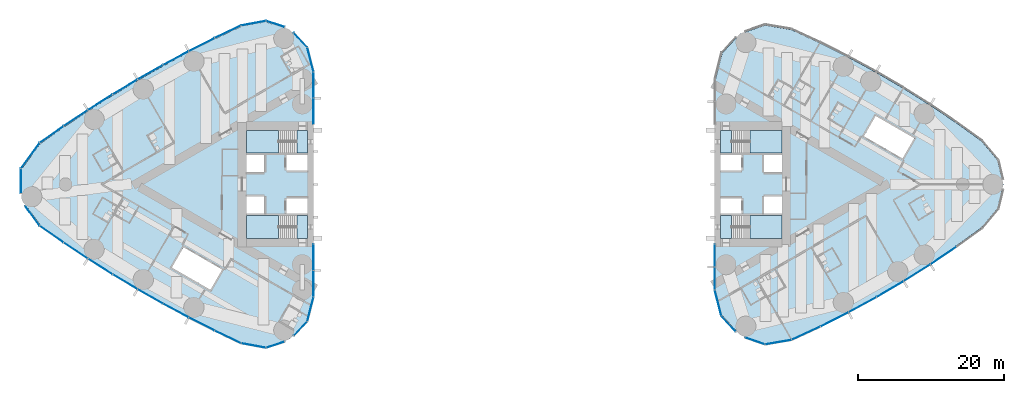
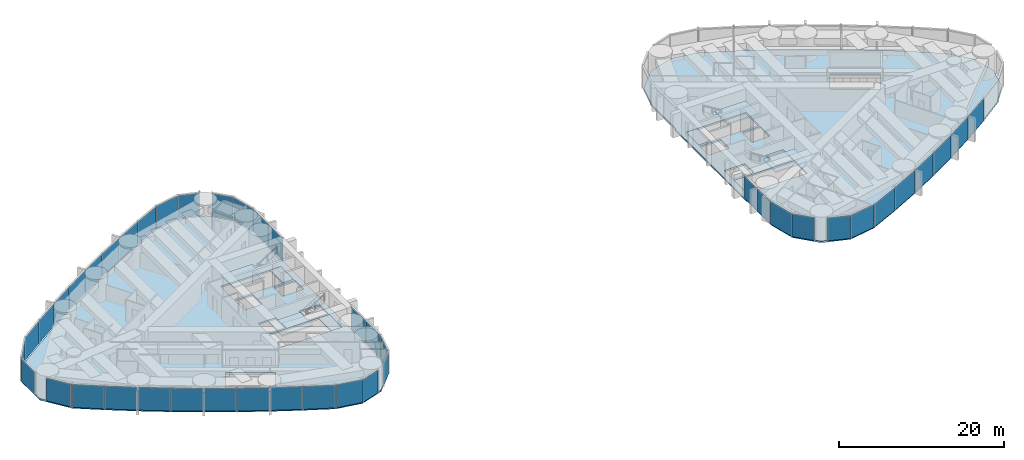
# One storey, part 10 of 18: 43 plates, 10 slabs, 10 elements without a shape of their own.
"""IFC4 building model written with IfcOpenShell, lengths in metres."""

from ifc_helpers import new_model, si_unit, direction, frame, origin, origin_2d, place, context, subcontext, project, spatial, polyline, rectangle, outline, extrude, material, layer, layer_set, type_object, element, aggregate, save


model = new_model("IFC4")

# Units and contexts
model_context = context("Model", 3, precision=1e-05, world=origin(), true_north=direction((0.0, 1.0)))
body_context = subcontext(model_context, "Body", "Model", "MODEL_VIEW")
ifc_project = project(units=[si_unit("LENGTHUNIT", "METRE"), si_unit("AREAUNIT", "SQUARE_METRE"), si_unit("VOLUMEUNIT", "CUBIC_METRE"), si_unit("PLANEANGLEUNIT", "RADIAN"), si_unit("MASSUNIT", "GRAM", prefix="KILO")], contexts=[model_context])

# Site, building, storey
site_placement = place(None, origin())
site = spatial("IfcSite", under=ifc_project, at=site_placement, CompositionType="ELEMENT")
building_placement = place(site_placement, origin())
building = spatial("IfcBuilding", under=site, at=building_placement, Name="Lancet Gate Hotel", CompositionType="ELEMENT")
storey_placement = place(building_placement, frame((0.0, 0.0, 180.800048828125)))
storey = spatial("IfcBuildingStorey", under=building, at=storey_placement, Name="L48", CompositionType="ELEMENT", Elevation=180.800048828125)

# Slabs
ifc_material_1 = material(Name="Concrete C50/60", Category="concrete")
ifc_layer_1 = layer(ifc_material_1, 0.25)
ifc_layer_set_1 = layer_set([ifc_layer_1], Name="Floor slab 250")
slab_type_1 = type_object("IfcSlabType", Name="Floor slab 250", PredefinedType="FLOOR", material=ifc_layer_set_1)
slab_1_placement = place(storey_placement, frame((0.0, 0.0, -0.25)))
element("IfcSlab", 1, at=slab_1_placement, inside=storey, type_object=slab_type_1, Name="T1 L48 floor slab", PredefinedType="FLOOR", context=body_context, shape_type="SweptSolid", body=[
    extrude(outline(polyline([(-27.5, 8.60009765625), (-27.6201171875, 8.60009765625), (-27.6201171875, 15.408203125), (-28.46923828125, 18.7265625), (-30.797607421875, 21.217529296875), (-34.0361328125, 22.283935546875), (-37.403564453125, 21.660400390625), (-40.996826171875, 19.9453125), (-44.561767578125, 18.139404296875), (-48.0830078125, 16.250244140625), (-51.558837890625, 14.27880859375), (-54.987548828125, 12.22607421875), (-58.366943359375, 10.09326171875), (-61.695068359375, 7.881591796875), (-64.955322265625, 5.602783203125), (-67.49560546875, 2.138427734375), (-67.49560546875, -2.138427734375), (-64.955322265625, -5.602783203125), (-61.695068359375, -7.881591796875), (-58.366943359375, -10.09326171875), (-54.987548828125, -12.22607421875), (-51.558837890625, -14.27880859375), (-48.0830078125, -16.250244140625), (-44.561767578125, -18.139404296875), (-40.996826171875, -19.9453125), (-37.403564453125, -21.660400390625), (-34.0361328125, -22.283935546875), (-30.797607421875, -21.217529296875), (-28.46923828125, -18.7265625), (-27.6201171875, -15.408203125), (-27.6201171875, -8.60009765625), (-27.5, -8.60009765625), (-27.5, -8.199951171875), (-27.5, 8.199951171875), (-27.5, 8.60009765625)]), holes=[polyline([(-36.699951171875, 7.39990234375), (-36.699951171875, 4.300048828125), (-28.300048828125, 4.300048828125), (-28.300048828125, 7.39990234375), (-36.699951171875, 7.39990234375)]), polyline([(-28.300048828125, 4.0), (-31.199951171875, 4.0), (-31.199951171875, 1.89990234375), (-28.300048828125, 1.89990234375), (-28.300048828125, 4.0)]), polyline([(-34.25, 4.0), (-36.699951171875, 4.0), (-36.699951171875, 1.64990234375), (-34.25, 1.64990234375), (-34.25, 4.0)]), polyline([(-36.699951171875, -1.64990234375), (-36.699951171875, -4.0), (-34.25, -4.0), (-34.25, -1.64990234375), (-36.699951171875, -1.64990234375)]), polyline([(-28.300048828125, -1.89990234375), (-31.199951171875, -1.89990234375), (-31.199951171875, -4.0), (-28.300048828125, -4.0), (-28.300048828125, -1.89990234375)]), polyline([(-28.300048828125, -4.300048828125), (-36.699951171875, -4.300048828125), (-36.699951171875, -7.39990234375), (-28.300048828125, -7.39990234375), (-28.300048828125, -4.300048828125)]), polyline([(-45.319091796875, -8.631103515625), (-46.9189453125, -11.402099609375), (-41.635986328125, -14.451904296875), (-40.035888671875, -11.680908203125), (-45.319091796875, -8.631103515625)])]), origin(), (0.0, 0.0, 1.0), 0.25),
])
slab_2_placement = place(storey_placement, frame((0.0, 0.0, -0.25)))
element("IfcSlab", 2, at=slab_2_placement, inside=storey, type_object=slab_type_1, Name="T2 L48 floor slab", PredefinedType="FLOOR", context=body_context, shape_type="SweptSolid", body=[
    extrude(outline(polyline([(27.5, -8.60009765625), (27.6201171875, -8.60009765625), (27.6201171875, -14.450439453125), (28.517822265625, -17.9853515625), (30.98291015625, -20.65185546875), (34.421875, -21.819091796875), (38.01513671875, -21.201171875), (41.9296875, -19.383056640625), (45.796875, -17.435302734375), (49.6005859375, -15.36572265625), (53.336669921875, -13.1767578125), (57.00146484375, -10.87060546875), (60.591552734375, -8.44921875), (64.092041015625, -5.9228515625), (66.283447265625, -3.307373046875), (67.06640625, 0.0), (66.283447265625, 3.307373046875), (64.092041015625, 5.9228515625), (60.591552734375, 8.44921875), (57.00146484375, 10.87060546875), (53.336669921875, 13.1767578125), (49.6005859375, 15.36572265625), (45.796875, 17.435302734375), (41.9296875, 19.383056640625), (38.01513671875, 21.201171875), (34.421875, 21.819091796875), (30.98291015625, 20.65185546875), (28.517822265625, 17.9853515625), (27.6201171875, 14.450439453125), (27.6201171875, 8.60009765625), (27.5, 8.60009765625), (27.5, 8.199951171875), (27.5, -8.199951171875), (27.5, -8.60009765625)]), holes=[polyline([(36.699951171875, -7.39990234375), (36.699951171875, -4.300048828125), (28.300048828125, -4.300048828125), (28.300048828125, -7.39990234375), (36.699951171875, -7.39990234375)]), polyline([(28.300048828125, -4.0), (31.199951171875, -4.0), (31.199951171875, -1.89990234375), (28.300048828125, -1.89990234375), (28.300048828125, -4.0)]), polyline([(34.25, -4.0), (36.699951171875, -4.0), (36.699951171875, -1.64990234375), (34.25, -1.64990234375), (34.25, -4.0)]), polyline([(36.699951171875, 1.64990234375), (36.699951171875, 4.0), (34.25, 4.0), (34.25, 1.64990234375), (36.699951171875, 1.64990234375)]), polyline([(28.300048828125, 1.89990234375), (31.199951171875, 1.89990234375), (31.199951171875, 4.0), (28.300048828125, 4.0), (28.300048828125, 1.89990234375)]), polyline([(28.300048828125, 4.300048828125), (36.699951171875, 4.300048828125), (36.699951171875, 7.39990234375), (28.300048828125, 7.39990234375), (28.300048828125, 4.300048828125)]), polyline([(53.242919921875, 3.555908203125), (54.843017578125, 6.326904296875), (49.56103515625, 9.376953125), (47.9609375, 6.60595703125), (53.242919921875, 3.555908203125)])]), origin(), (0.0, 0.0, 1.0), 0.25),
])

# Stair, slabs
ifc_material_2 = material(Name="Exit stair 20 risers 1500")
stair_type = type_object("IfcStairType", Name="Exit stair 20 risers 1500", PredefinedType="HALF_TURN_STAIR", material=ifc_material_2)
stair_1_placement = place(storey_placement, origin())
stair_1 = element("IfcStair", 3, at=stair_1_placement, inside=storey, type_object=stair_type, Name="T1 stair 1 L48", PredefinedType="HALF_TURN_STAIR")
ifc_material_3 = material(Name="Concrete C40/50", Category="concrete")
ifc_layer_2 = layer(ifc_material_3, 0.199951171875)
ifc_layer_set_2 = layer_set([ifc_layer_2], Name="Stair landing 200")
slab_type_2 = type_object("IfcSlabType", Name="Stair landing 200", PredefinedType="LANDING", material=ifc_layer_set_2)
slab_3_placement = place(storey_placement, frame((0.0, 0.0, -0.199951171875)))
slab_3 = element("IfcSlab", 4, at=slab_3_placement, type_object=slab_type_2, Name="ST1 landing 1", PredefinedType="LANDING", context=body_context, shape_type="SweptSolid", body=[
    extrude(outline(polyline([(-28.300048828125, 7.39990234375), (-29.800048828125, 7.39990234375), (-29.800048828125, 4.300048828125), (-28.300048828125, 4.300048828125), (-28.300048828125, 7.39990234375)])), origin(), (0.0, 0.0, 1.0), 0.199951171875),
])
slab_4_placement = place(storey_placement, frame((0.0, 0.0, 1.550048828125)))
slab_4 = element("IfcSlab", 5, at=slab_4_placement, type_object=slab_type_2, Name="ST1 landing 2", PredefinedType="LANDING", context=body_context, shape_type="SweptSolid", body=[
    extrude(outline(polyline([(-32.320068359375, 7.39990234375), (-36.699951171875, 7.39990234375), (-36.699951171875, 4.300048828125), (-32.320068359375, 4.300048828125), (-32.320068359375, 7.39990234375)])), origin(), (0.0, 0.0, 1.0), 0.199951171875),
])
aggregate(stair_1, [slab_3, slab_4])

stair_2_placement = place(storey_placement, origin())
stair_2 = element("IfcStair", 6, at=stair_2_placement, inside=storey, type_object=stair_type, Name="T1 stair 2 L48", PredefinedType="HALF_TURN_STAIR")
slab_5_placement = place(storey_placement, frame((0.0, 0.0, -0.199951171875)))
slab_5 = element("IfcSlab", 7, at=slab_5_placement, type_object=slab_type_2, Name="ST2 landing 1", PredefinedType="LANDING", context=body_context, shape_type="SweptSolid", body=[
    extrude(outline(polyline([(-28.300048828125, -4.300048828125), (-29.800048828125, -4.300048828125), (-29.800048828125, -7.39990234375), (-28.300048828125, -7.39990234375), (-28.300048828125, -4.300048828125)])), origin(), (0.0, 0.0, 1.0), 0.199951171875),
])
slab_6_placement = place(storey_placement, frame((0.0, 0.0, 1.550048828125)))
slab_6 = element("IfcSlab", 8, at=slab_6_placement, type_object=slab_type_2, Name="ST2 landing 2", PredefinedType="LANDING", context=body_context, shape_type="SweptSolid", body=[
    extrude(outline(polyline([(-32.320068359375, -4.300048828125), (-36.699951171875, -4.300048828125), (-36.699951171875, -7.39990234375), (-32.320068359375, -7.39990234375), (-32.320068359375, -4.300048828125)])), origin(), (0.0, 0.0, 1.0), 0.199951171875),
])
aggregate(stair_2, [slab_5, slab_6])

stair_3_placement = place(storey_placement, origin())
stair_3 = element("IfcStair", 9, at=stair_3_placement, inside=storey, type_object=stair_type, Name="T2 stair 1 L48", PredefinedType="HALF_TURN_STAIR")
slab_7_placement = place(storey_placement, frame((0.0, 0.0, -0.199951171875)))
slab_7 = element("IfcSlab", 10, at=slab_7_placement, type_object=slab_type_2, Name="ST3 landing 1", PredefinedType="LANDING", context=body_context, shape_type="SweptSolid", body=[
    extrude(outline(polyline([(28.300048828125, -7.39990234375), (29.800048828125, -7.39990234375), (29.800048828125, -4.300048828125), (28.300048828125, -4.300048828125), (28.300048828125, -7.39990234375)])), origin(), (0.0, 0.0, 1.0), 0.199951171875),
])
slab_8_placement = place(storey_placement, frame((0.0, 0.0, 1.550048828125)))
slab_8 = element("IfcSlab", 11, at=slab_8_placement, type_object=slab_type_2, Name="ST3 landing 2", PredefinedType="LANDING", context=body_context, shape_type="SweptSolid", body=[
    extrude(outline(polyline([(32.320068359375, -7.39990234375), (36.699951171875, -7.39990234375), (36.699951171875, -4.300048828125), (32.320068359375, -4.300048828125), (32.320068359375, -7.39990234375)])), origin(), (0.0, 0.0, 1.0), 0.199951171875),
])
aggregate(stair_3, [slab_7, slab_8])

stair_4_placement = place(storey_placement, origin())
stair_4 = element("IfcStair", 12, at=stair_4_placement, inside=storey, type_object=stair_type, Name="T2 stair 2 L48", PredefinedType="HALF_TURN_STAIR")
slab_9_placement = place(storey_placement, frame((0.0, 0.0, -0.199951171875)))
slab_9 = element("IfcSlab", 13, at=slab_9_placement, type_object=slab_type_2, Name="ST4 landing 1", PredefinedType="LANDING", context=body_context, shape_type="SweptSolid", body=[
    extrude(outline(polyline([(28.300048828125, 4.300048828125), (29.800048828125, 4.300048828125), (29.800048828125, 7.39990234375), (28.300048828125, 7.39990234375), (28.300048828125, 4.300048828125)])), origin(), (0.0, 0.0, 1.0), 0.199951171875),
])
slab_10_placement = place(storey_placement, frame((0.0, 0.0, 1.550048828125)))
slab_10 = element("IfcSlab", 14, at=slab_10_placement, type_object=slab_type_2, Name="ST4 landing 2", PredefinedType="LANDING", context=body_context, shape_type="SweptSolid", body=[
    extrude(outline(polyline([(32.320068359375, 4.300048828125), (36.699951171875, 4.300048828125), (36.699951171875, 7.39990234375), (32.320068359375, 7.39990234375), (32.320068359375, 4.300048828125)])), origin(), (0.0, 0.0, 1.0), 0.199951171875),
])
aggregate(stair_4, [slab_9, slab_10])

# Curtain wall, plates
ifc_material_4 = material(Name="Aluminium curtain wall", Category="aluminium")
curtain_wall_type = type_object("IfcCurtainWallType", Name="Tower unitised curtain wall", PredefinedType="USERDEFINED", material=ifc_material_4)
curtain_wall_1_placement = place(storey_placement, origin())
curtain_wall_1 = element("IfcCurtainWall", 15, at=curtain_wall_1_placement, inside=storey, type_object=curtain_wall_type, Name="T1 L48 curtain wall 1", ObjectType="UNITISED CURTAIN WALL", PredefinedType="USERDEFINED")
ifc_material_5 = material(Name="Glass double glazed unit 8-16-6", Category="glass")
ifc_layer_3 = layer(ifc_material_5, 0.030029296875)
ifc_layer_set_3 = layer_set([ifc_layer_3], Name="Vision panel double glazed")
plate_type = type_object("IfcPlateType", Name="Vision panel double glazed", PredefinedType="CURTAIN_PANEL", material=ifc_layer_set_3)
plate_1_placement = place(storey_placement, frame((-27.5, 10.005859375, 0.0), z_axis=(0.0, 0.0, 1.0), x_axis=(0.0, 1.0, 0.0)))
plate_1 = element("IfcPlate", 16, at=plate_1_placement, type_object=plate_type, Name="T1 L48 curtain wall 1 panel 1", PredefinedType="CURTAIN_PANEL", context=body_context, shape_type="SweptSolid", body=[
    extrude(rectangle(XDim=3.546630859375, YDim=0.030029296875, at=origin_2d()), origin(), (0.0, 0.0, 1.0), 3.35009765625),
])
plate_2_placement = place(storey_placement, frame((-27.5, 13.617431640625, 0.0), z_axis=(0.0, 0.0, 1.0), x_axis=(0.0, 1.0, 0.0)))
plate_2 = element("IfcPlate", 17, at=plate_2_placement, type_object=plate_type, Name="T1 L48 curtain wall 1 panel 2", PredefinedType="CURTAIN_PANEL", context=body_context, shape_type="SweptSolid", body=[
    extrude(rectangle(XDim=3.546630859375, YDim=0.030029296875, at=origin_2d()), origin(), (0.0, 0.0, 1.0), 3.35009765625),
])
plate_3_placement = place(storey_placement, frame((-27.930419921875, 17.104736328125, 0.0), z_axis=(0.0, 0.0, 1.0), x_axis=(-0.247936754654, 0.968776220647, 0.0)))
plate_3 = element("IfcPlate", 18, at=plate_3_placement, type_object=plate_type, Name="T1 L48 curtain wall 1 panel 3", PredefinedType="CURTAIN_PANEL", context=body_context, shape_type="SweptSolid", body=[
    extrude(rectangle(XDim=3.406005859375, YDim=0.030029296875, at=origin_2d()), origin(), (0.0, 0.0, 1.0), 3.35009765625),
])
plate_4_placement = place(storey_placement, frame((-29.28564453125, 19.77587890625, 0.0), z_axis=(0.0, 0.0, 1.0), x_axis=(-0.682844962172, 0.730563315282, 0.0)))
plate_4 = element("IfcPlate", 19, at=plate_4_placement, type_object=plate_type, Name="T1 L48 curtain wall 1 panel 4", PredefinedType="CURTAIN_PANEL", context=body_context, shape_type="SweptSolid", body=[
    extrude(rectangle(XDim=2.64453125, YDim=0.030029296875, at=origin_2d()), origin(), (0.0, 0.0, 1.0), 3.35009765625),
])
aggregate(curtain_wall_1, [plate_1, plate_2, plate_3, plate_4])

curtain_wall_2_placement = place(storey_placement, origin())
curtain_wall_2 = element("IfcCurtainWall", 20, at=curtain_wall_2_placement, inside=storey, type_object=curtain_wall_type, Name="T1 L48 curtain wall 2", ObjectType="UNITISED CURTAIN WALL", PredefinedType="USERDEFINED")
plate_5_placement = place(storey_placement, frame((-32.740234375, 21.983642578125, 0.0), z_axis=(0.0, 0.0, 1.0), x_axis=(-0.949848055084, 0.312711803827, 0.0)))
plate_5 = element("IfcPlate", 21, at=plate_5_placement, type_object=plate_type, Name="T1 L48 curtain wall 2 panel 1", PredefinedType="CURTAIN_PANEL", context=body_context, shape_type="SweptSolid", body=[
    extrude(rectangle(XDim=2.64599609375, YDim=0.030029296875, at=origin_2d()), origin(), (0.0, 0.0, 1.0), 3.35009765625),
])
plate_6_placement = place(storey_placement, frame((-35.734375, 22.091552734375, 0.0), z_axis=(0.0, 0.0, 1.0), x_axis=(-0.983292499426, -0.182032581075, 0.0)))
plate_6 = element("IfcPlate", 22, at=plate_6_placement, type_object=plate_type, Name="T1 L48 curtain wall 2 panel 2", PredefinedType="CURTAIN_PANEL", context=body_context, shape_type="SweptSolid", body=[
    extrude(rectangle(XDim=3.406005859375, YDim=0.030029296875, at=origin_2d()), origin(), (0.0, 0.0, 1.0), 3.35009765625),
])
plate_7_placement = place(storey_placement, frame((-39.245361328125, 20.914306640625, 0.0), z_axis=(0.0, 0.0, 1.0), x_axis=(-0.902453530018, -0.430787216799, 0.0)))
plate_7 = element("IfcPlate", 23, at=plate_7_placement, type_object=plate_type, Name="T1 L48 curtain wall 2 panel 3", PredefinedType="CURTAIN_PANEL", context=body_context, shape_type="SweptSolid", body=[
    extrude(rectangle(XDim=3.933837890625, YDim=0.030029296875, at=origin_2d()), origin(), (0.0, 0.0, 1.0), 3.35009765625),
])
plate_8_placement = place(storey_placement, frame((-42.83349609375, 19.1494140625, 0.0), z_axis=(0.0, 0.0, 1.0), x_axis=(-0.892071119911, -0.451895028762, 0.0)))
plate_8 = element("IfcPlate", 24, at=plate_8_placement, type_object=plate_type, Name="T1 L48 curtain wall 2 panel 4", PredefinedType="CURTAIN_PANEL", context=body_context, shape_type="SweptSolid", body=[
    extrude(rectangle(XDim=3.933837890625, YDim=0.030029296875, at=origin_2d()), origin(), (0.0, 0.0, 1.0), 3.35009765625),
])
plate_9_placement = place(storey_placement, frame((-46.379150390625, 17.300537109375, 0.0), z_axis=(0.0, 0.0, 1.0), x_axis=(-0.881195096384, -0.472752791751, 0.0)))
plate_9 = element("IfcPlate", 25, at=plate_9_placement, type_object=plate_type, Name="T1 L48 curtain wall 2 panel 5", PredefinedType="CURTAIN_PANEL", context=body_context, shape_type="SweptSolid", body=[
    extrude(rectangle(XDim=3.933837890625, YDim=0.030029296875, at=origin_2d()), origin(), (0.0, 0.0, 1.0), 3.35009765625),
])
plate_10_placement = place(storey_placement, frame((-49.880126953125, 15.368896484375, 0.0), z_axis=(0.0, 0.0, 1.0), x_axis=(-0.869831477496, -0.493348964484, 0.0)))
plate_10 = element("IfcPlate", 26, at=plate_10_placement, type_object=plate_type, Name="T1 L48 curtain wall 2 panel 6", PredefinedType="CURTAIN_PANEL", context=body_context, shape_type="SweptSolid", body=[
    extrude(rectangle(XDim=3.933837890625, YDim=0.030029296875, at=origin_2d()), origin(), (0.0, 0.0, 1.0), 3.35009765625),
])
plate_11_placement = place(storey_placement, frame((-53.3349609375, 13.35546875, 0.0), z_axis=(0.0, 0.0, 1.0), x_axis=(-0.857986551132, -0.51367215038, 0.0)))
plate_11 = element("IfcPlate", 27, at=plate_11_placement, type_object=plate_type, Name="T1 L48 curtain wall 2 panel 7", PredefinedType="CURTAIN_PANEL", context=body_context, shape_type="SweptSolid", body=[
    extrude(rectangle(XDim=3.933837890625, YDim=0.030029296875, at=origin_2d()), origin(), (0.0, 0.0, 1.0), 3.35009765625),
])
plate_12_placement = place(storey_placement, frame((-56.7412109375, 11.26123046875, 0.0), z_axis=(0.0, 0.0, 1.0), x_axis=(-0.845666871497, -0.533711103925, 0.0)))
plate_12 = element("IfcPlate", 28, at=plate_12_placement, type_object=plate_type, Name="T1 L48 curtain wall 2 panel 8", PredefinedType="CURTAIN_PANEL", context=body_context, shape_type="SweptSolid", body=[
    extrude(rectangle(XDim=3.933837890625, YDim=0.030029296875, at=origin_2d()), origin(), (0.0, 0.0, 1.0), 3.35009765625),
])
plate_13_placement = place(storey_placement, frame((-60.097412109375, 9.08740234375, 0.0), z_axis=(0.0, 0.0, 1.0), x_axis=(-0.832879255498, -0.553454736867, 0.0)))
plate_13 = element("IfcPlate", 29, at=plate_13_placement, type_object=plate_type, Name="T1 L48 curtain wall 2 panel 9", PredefinedType="CURTAIN_PANEL", context=body_context, shape_type="SweptSolid", body=[
    extrude(rectangle(XDim=3.933837890625, YDim=0.030029296875, at=origin_2d()), origin(), (0.0, 0.0, 1.0), 3.35009765625),
])
plate_14_placement = place(storey_placement, frame((-63.401611328125, 6.835205078125, 0.0), z_axis=(0.0, 0.0, 1.0), x_axis=(-0.819630778943, -0.572892124409, 0.0)))
plate_14 = element("IfcPlate", 30, at=plate_14_placement, type_object=plate_type, Name="T1 L48 curtain wall 2 panel 10", PredefinedType="CURTAIN_PANEL", context=body_context, shape_type="SweptSolid", body=[
    extrude(rectangle(XDim=3.933837890625, YDim=0.030029296875, at=origin_2d()), origin(), (0.0, 0.0, 1.0), 3.35009765625),
])
plate_15_placement = place(storey_placement, frame((-66.328125, 3.933837890625, 0.0), z_axis=(0.0, 0.0, 1.0), x_axis=(-0.591299785592, -0.806451835858, 0.0)))
plate_15 = element("IfcPlate", 31, at=plate_15_placement, type_object=plate_type, Name="T1 L48 curtain wall 2 panel 11", PredefinedType="CURTAIN_PANEL", context=body_context, shape_type="SweptSolid", body=[
    extrude(rectangle(XDim=4.290283203125, YDim=0.030029296875, at=origin_2d()), origin(), (0.0, 0.0, 1.0), 3.35009765625),
])
plate_16_placement = place(storey_placement, frame((-67.61572265625, 0.478515625, 0.0), z_axis=(0.0, 0.0, 1.0), x_axis=(0.0, -1.0, 0.0)))
plate_16 = element("IfcPlate", 32, at=plate_16_placement, type_object=plate_type, Name="T1 L48 curtain wall 2 panel 12", PredefinedType="CURTAIN_PANEL", context=body_context, shape_type="SweptSolid", body=[
    extrude(rectangle(XDim=3.333251953125, YDim=0.030029296875, at=origin_2d()), origin(), (0.0, 0.0, 1.0), 3.35009765625),
])
aggregate(curtain_wall_2, [plate_5, plate_6, plate_7, plate_8, plate_9, plate_10, plate_11, plate_12, plate_13, plate_14, plate_15, plate_16])

curtain_wall_3_placement = place(storey_placement, origin())
curtain_wall_3 = element("IfcCurtainWall", 33, at=curtain_wall_3_placement, inside=storey, type_object=curtain_wall_type, Name="T1 L48 curtain wall 3", ObjectType="UNITISED CURTAIN WALL", PredefinedType="USERDEFINED")
plate_17_placement = place(storey_placement, frame((-66.04541015625, -4.3193359375, 0.0), z_axis=(0.0, 0.0, 1.0), x_axis=(0.591299785592, -0.806451835858, 0.0)))
plate_17 = element("IfcPlate", 34, at=plate_17_placement, type_object=plate_type, Name="T1 L48 curtain wall 3 panel 1", PredefinedType="CURTAIN_PANEL", context=body_context, shape_type="SweptSolid", body=[
    extrude(rectangle(XDim=3.334228515625, YDim=0.030029296875, at=origin_2d()), origin(), (0.0, 0.0, 1.0), 3.35009765625),
])
plate_18_placement = place(storey_placement, frame((-63.401611328125, -6.835205078125, 0.0), z_axis=(0.0, 0.0, 1.0), x_axis=(0.819630778943, -0.572892124409, 0.0)))
plate_18 = element("IfcPlate", 35, at=plate_18_placement, type_object=plate_type, Name="T1 L48 curtain wall 3 panel 2", PredefinedType="CURTAIN_PANEL", context=body_context, shape_type="SweptSolid", body=[
    extrude(rectangle(XDim=3.933837890625, YDim=0.030029296875, at=origin_2d()), origin(), (0.0, 0.0, 1.0), 3.35009765625),
])
plate_19_placement = place(storey_placement, frame((-60.097412109375, -9.08740234375, 0.0), z_axis=(0.0, 0.0, 1.0), x_axis=(0.832879255498, -0.553454736867, 0.0)))
plate_19 = element("IfcPlate", 36, at=plate_19_placement, type_object=plate_type, Name="T1 L48 curtain wall 3 panel 3", PredefinedType="CURTAIN_PANEL", context=body_context, shape_type="SweptSolid", body=[
    extrude(rectangle(XDim=3.933837890625, YDim=0.030029296875, at=origin_2d()), origin(), (0.0, 0.0, 1.0), 3.35009765625),
])
plate_20_placement = place(storey_placement, frame((-56.7412109375, -11.26123046875, 0.0), z_axis=(0.0, 0.0, 1.0), x_axis=(0.845666871497, -0.533711103925, 0.0)))
plate_20 = element("IfcPlate", 37, at=plate_20_placement, type_object=plate_type, Name="T1 L48 curtain wall 3 panel 4", PredefinedType="CURTAIN_PANEL", context=body_context, shape_type="SweptSolid", body=[
    extrude(rectangle(XDim=3.933837890625, YDim=0.030029296875, at=origin_2d()), origin(), (0.0, 0.0, 1.0), 3.35009765625),
])
plate_21_placement = place(storey_placement, frame((-53.3349609375, -13.35546875, 0.0), z_axis=(0.0, 0.0, 1.0), x_axis=(0.857986551132, -0.51367215038, 0.0)))
plate_21 = element("IfcPlate", 38, at=plate_21_placement, type_object=plate_type, Name="T1 L48 curtain wall 3 panel 5", PredefinedType="CURTAIN_PANEL", context=body_context, shape_type="SweptSolid", body=[
    extrude(rectangle(XDim=3.933837890625, YDim=0.030029296875, at=origin_2d()), origin(), (0.0, 0.0, 1.0), 3.35009765625),
])
plate_22_placement = place(storey_placement, frame((-49.880126953125, -15.368896484375, 0.0), z_axis=(0.0, 0.0, 1.0), x_axis=(0.869831477496, -0.493348964484, 0.0)))
plate_22 = element("IfcPlate", 39, at=plate_22_placement, type_object=plate_type, Name="T1 L48 curtain wall 3 panel 6", PredefinedType="CURTAIN_PANEL", context=body_context, shape_type="SweptSolid", body=[
    extrude(rectangle(XDim=3.933837890625, YDim=0.030029296875, at=origin_2d()), origin(), (0.0, 0.0, 1.0), 3.35009765625),
])
plate_23_placement = place(storey_placement, frame((-46.379150390625, -17.300537109375, 0.0), z_axis=(0.0, 0.0, 1.0), x_axis=(0.881195096384, -0.472752791751, 0.0)))
plate_23 = element("IfcPlate", 40, at=plate_23_placement, type_object=plate_type, Name="T1 L48 curtain wall 3 panel 7", PredefinedType="CURTAIN_PANEL", context=body_context, shape_type="SweptSolid", body=[
    extrude(rectangle(XDim=3.933837890625, YDim=0.030029296875, at=origin_2d()), origin(), (0.0, 0.0, 1.0), 3.35009765625),
])
plate_24_placement = place(storey_placement, frame((-42.83349609375, -19.1494140625, 0.0), z_axis=(0.0, 0.0, 1.0), x_axis=(0.892071119911, -0.451895028762, 0.0)))
plate_24 = element("IfcPlate", 41, at=plate_24_placement, type_object=plate_type, Name="T1 L48 curtain wall 3 panel 8", PredefinedType="CURTAIN_PANEL", context=body_context, shape_type="SweptSolid", body=[
    extrude(rectangle(XDim=3.933837890625, YDim=0.030029296875, at=origin_2d()), origin(), (0.0, 0.0, 1.0), 3.35009765625),
])
plate_25_placement = place(storey_placement, frame((-39.245361328125, -20.914306640625, 0.0), z_axis=(0.0, 0.0, 1.0), x_axis=(0.902453530018, -0.430787216799, 0.0)))
plate_25 = element("IfcPlate", 42, at=plate_25_placement, type_object=plate_type, Name="T1 L48 curtain wall 3 panel 9", PredefinedType="CURTAIN_PANEL", context=body_context, shape_type="SweptSolid", body=[
    extrude(rectangle(XDim=3.933837890625, YDim=0.030029296875, at=origin_2d()), origin(), (0.0, 0.0, 1.0), 3.35009765625),
])
plate_26_placement = place(storey_placement, frame((-35.734375, -22.091552734375, 0.0), z_axis=(0.0, 0.0, 1.0), x_axis=(0.983292499426, -0.182032581075, 0.0)))
plate_26 = element("IfcPlate", 43, at=plate_26_placement, type_object=plate_type, Name="T1 L48 curtain wall 3 panel 10", PredefinedType="CURTAIN_PANEL", context=body_context, shape_type="SweptSolid", body=[
    extrude(rectangle(XDim=3.406005859375, YDim=0.030029296875, at=origin_2d()), origin(), (0.0, 0.0, 1.0), 3.35009765625),
])
plate_27_placement = place(storey_placement, frame((-32.740234375, -21.983642578125, 0.0), z_axis=(0.0, 0.0, 1.0), x_axis=(0.949848055084, 0.312711803827, 0.0)))
plate_27 = element("IfcPlate", 44, at=plate_27_placement, type_object=plate_type, Name="T1 L48 curtain wall 3 panel 11", PredefinedType="CURTAIN_PANEL", context=body_context, shape_type="SweptSolid", body=[
    extrude(rectangle(XDim=2.64599609375, YDim=0.030029296875, at=origin_2d()), origin(), (0.0, 0.0, 1.0), 3.35009765625),
])
aggregate(curtain_wall_3, [plate_17, plate_18, plate_19, plate_20, plate_21, plate_22, plate_23, plate_24, plate_25, plate_26, plate_27])

curtain_wall_4_placement = place(storey_placement, origin())
curtain_wall_4 = element("IfcCurtainWall", 45, at=curtain_wall_4_placement, inside=storey, type_object=curtain_wall_type, Name="T1 L48 curtain wall 4", ObjectType="UNITISED CURTAIN WALL", PredefinedType="USERDEFINED")
plate_28_placement = place(storey_placement, frame((-29.28564453125, -19.77587890625, 0.0), z_axis=(0.0, 0.0, 1.0), x_axis=(0.682844962172, 0.730563315282, 0.0)))
plate_28 = element("IfcPlate", 46, at=plate_28_placement, type_object=plate_type, Name="T1 L48 curtain wall 4 panel 1", PredefinedType="CURTAIN_PANEL", context=body_context, shape_type="SweptSolid", body=[
    extrude(rectangle(XDim=2.64453125, YDim=0.030029296875, at=origin_2d()), origin(), (0.0, 0.0, 1.0), 3.35009765625),
])
plate_29_placement = place(storey_placement, frame((-27.930419921875, -17.104736328125, 0.0), z_axis=(0.0, 0.0, 1.0), x_axis=(0.247936754654, 0.968776220647, 0.0)))
plate_29 = element("IfcPlate", 47, at=plate_29_placement, type_object=plate_type, Name="T1 L48 curtain wall 4 panel 2", PredefinedType="CURTAIN_PANEL", context=body_context, shape_type="SweptSolid", body=[
    extrude(rectangle(XDim=3.406005859375, YDim=0.030029296875, at=origin_2d()), origin(), (0.0, 0.0, 1.0), 3.35009765625),
])
plate_30_placement = place(storey_placement, frame((-27.5, -13.617431640625, 0.0), z_axis=(0.0, 0.0, 1.0), x_axis=(0.0, 1.0, 0.0)))
plate_30 = element("IfcPlate", 48, at=plate_30_placement, type_object=plate_type, Name="T1 L48 curtain wall 4 panel 3", PredefinedType="CURTAIN_PANEL", context=body_context, shape_type="SweptSolid", body=[
    extrude(rectangle(XDim=3.546630859375, YDim=0.030029296875, at=origin_2d()), origin(), (0.0, 0.0, 1.0), 3.35009765625),
])
plate_31_placement = place(storey_placement, frame((-27.5, -10.005859375, 0.0), z_axis=(0.0, 0.0, 1.0), x_axis=(0.0, 1.0, 0.0)))
plate_31 = element("IfcPlate", 49, at=plate_31_placement, type_object=plate_type, Name="T1 L48 curtain wall 4 panel 4", PredefinedType="CURTAIN_PANEL", context=body_context, shape_type="SweptSolid", body=[
    extrude(rectangle(XDim=3.546630859375, YDim=0.030029296875, at=origin_2d()), origin(), (0.0, 0.0, 1.0), 3.35009765625),
])
aggregate(curtain_wall_4, [plate_28, plate_29, plate_30, plate_31])

curtain_wall_5_placement = place(storey_placement, origin())
curtain_wall_5 = element("IfcCurtainWall", 50, at=curtain_wall_5_placement, inside=storey, type_object=curtain_wall_type, Name="T2 L48 curtain wall 1", ObjectType="UNITISED CURTAIN WALL", PredefinedType="USERDEFINED")
plate_32_placement = place(storey_placement, frame((27.5, -9.766357421875, 0.0), z_axis=(0.0, 0.0, 1.0), x_axis=(0.0, -1.0, 0.0)))
plate_32 = element("IfcPlate", 51, at=plate_32_placement, type_object=plate_type, Name="T2 L48 curtain wall 1 panel 1", PredefinedType="CURTAIN_PANEL", context=body_context, shape_type="SweptSolid", body=[
    extrude(rectangle(XDim=3.06787109375, YDim=0.030029296875, at=origin_2d()), origin(), (0.0, 0.0, 1.0), 3.35009765625),
])
plate_33_placement = place(storey_placement, frame((27.5, -12.899169921875, 0.0), z_axis=(0.0, 0.0, 1.0), x_axis=(0.0, -1.0, 0.0)))
plate_33 = element("IfcPlate", 52, at=plate_33_placement, type_object=plate_type, Name="T2 L48 curtain wall 1 panel 2", PredefinedType="CURTAIN_PANEL", context=body_context, shape_type="SweptSolid", body=[
    extrude(rectangle(XDim=3.06787109375, YDim=0.030029296875, at=origin_2d()), origin(), (0.0, 0.0, 1.0), 3.35009765625),
])
plate_34_placement = place(storey_placement, frame((27.95458984375, -16.2548828125, 0.0), z_axis=(0.0, 0.0, 1.0), x_axis=(0.246166705764, -0.969227503207, 0.0)))
plate_34 = element("IfcPlate", 53, at=plate_34_placement, type_object=plate_type, Name="T2 L48 curtain wall 1 panel 3", PredefinedType="CURTAIN_PANEL", context=body_context, shape_type="SweptSolid", body=[
    extrude(rectangle(XDim=3.62744140625, YDim=0.030029296875, at=origin_2d()), origin(), (0.0, 0.0, 1.0), 3.35009765625),
])
plate_35_placement = place(storey_placement, frame((29.4052734375, -19.122314453125, 0.0), z_axis=(0.0, 0.0, 1.0), x_axis=(0.67883123083, -0.734294327943, 0.0)))
plate_35 = element("IfcPlate", 54, at=plate_35_placement, type_object=plate_type, Name="T2 L48 curtain wall 1 panel 4", PredefinedType="CURTAIN_PANEL", context=body_context, shape_type="SweptSolid", body=[
    extrude(rectangle(XDim=2.87060546875, YDim=0.030029296875, at=origin_2d()), origin(), (0.0, 0.0, 1.0), 3.35009765625),
])
aggregate(curtain_wall_5, [plate_32, plate_33, plate_34, plate_35])

curtain_wall_6_placement = place(storey_placement, origin())
curtain_wall_6 = element("IfcCurtainWall", 55, at=curtain_wall_6_placement, inside=storey, type_object=curtain_wall_type, Name="T2 L48 curtain wall 2", ObjectType="UNITISED CURTAIN WALL", PredefinedType="USERDEFINED")
plate_36_placement = place(storey_placement, frame((33.02197265625, -21.470703125, 0.0), z_axis=(0.0, 0.0, 1.0), x_axis=(0.946952368511, -0.321373943827, 0.0)))
plate_36 = element("IfcPlate", 56, at=plate_36_placement, type_object=plate_type, Name="T2 L48 curtain wall 2 panel 1", PredefinedType="CURTAIN_PANEL", context=body_context, shape_type="SweptSolid", body=[
    extrude(rectangle(XDim=2.871337890625, YDim=0.030029296875, at=origin_2d()), origin(), (0.0, 0.0, 1.0), 3.35009765625),
])
plate_37_placement = place(storey_placement, frame((36.231689453125, -21.629638671875, 0.0), z_axis=(0.0, 0.0, 1.0), x_axis=(0.985539649572, 0.169444973729, 0.0)))
plate_37 = element("IfcPlate", 57, at=plate_37_placement, type_object=plate_type, Name="T2 L48 curtain wall 2 panel 2", PredefinedType="CURTAIN_PANEL", context=body_context, shape_type="SweptSolid", body=[
    extrude(rectangle(XDim=3.62744140625, YDim=0.030029296875, at=origin_2d()), origin(), (0.0, 0.0, 1.0), 3.35009765625),
])
plate_38_placement = place(storey_placement, frame((40.0166015625, -20.40380859375, 0.0), z_axis=(0.0, 0.0, 1.0), x_axis=(0.906934888522, 0.421270824982, 0.0)))
plate_38 = element("IfcPlate", 58, at=plate_38_placement, type_object=plate_type, Name="T2 L48 curtain wall 2 panel 3", PredefinedType="CURTAIN_PANEL", context=body_context, shape_type="SweptSolid", body=[
    extrude(rectangle(XDim=4.26904296875, YDim=0.030029296875, at=origin_2d()), origin(), (0.0, 0.0, 1.0), 3.35009765625),
])
plate_39_placement = place(storey_placement, frame((43.917236328125, -18.516357421875, 0.0), z_axis=(0.0, 0.0, 1.0), x_axis=(0.893121465596, 0.449815570752, 0.0)))
plate_39 = element("IfcPlate", 59, at=plate_39_placement, type_object=plate_type, Name="T2 L48 curtain wall 2 panel 4", PredefinedType="CURTAIN_PANEL", context=body_context, shape_type="SweptSolid", body=[
    extrude(rectangle(XDim=4.26904296875, YDim=0.030029296875, at=origin_2d()), origin(), (0.0, 0.0, 1.0), 3.35009765625),
])
plate_40_placement = place(storey_placement, frame((47.756103515625, -16.505859375, 0.0), z_axis=(0.0, 0.0, 1.0), x_axis=(0.878409907967, 0.477907976063, 0.0)))
plate_40 = element("IfcPlate", 60, at=plate_40_placement, type_object=plate_type, Name="T2 L48 curtain wall 2 panel 5", PredefinedType="CURTAIN_PANEL", context=body_context, shape_type="SweptSolid", body=[
    extrude(rectangle(XDim=4.26904296875, YDim=0.030029296875, at=origin_2d()), origin(), (0.0, 0.0, 1.0), 3.35009765625),
])
plate_41_placement = place(storey_placement, frame((51.529296875, -14.374755859375, 0.0), z_axis=(0.0, 0.0, 1.0), x_axis=(0.862815009772, 0.505519790822, 0.0)))
plate_41 = element("IfcPlate", 61, at=plate_41_placement, type_object=plate_type, Name="T2 L48 curtain wall 2 panel 6", PredefinedType="CURTAIN_PANEL", context=body_context, shape_type="SweptSolid", body=[
    extrude(rectangle(XDim=4.26904296875, YDim=0.030029296875, at=origin_2d()), origin(), (0.0, 0.0, 1.0), 3.35009765625),
])
plate_42_placement = place(storey_placement, frame((55.233154296875, -12.125244140625, 0.0), z_axis=(0.0, 0.0, 1.0), x_axis=(0.846352453444, 0.532623248225, 0.0)))
plate_42 = element("IfcPlate", 62, at=plate_42_placement, type_object=plate_type, Name="T2 L48 curtain wall 2 panel 7", PredefinedType="CURTAIN_PANEL", context=body_context, shape_type="SweptSolid", body=[
    extrude(rectangle(XDim=4.26904296875, YDim=0.030029296875, at=origin_2d()), origin(), (0.0, 0.0, 1.0), 3.35009765625),
])
plate_43_placement = place(storey_placement, frame((58.863525390625, -9.75927734375, 0.0), z_axis=(0.0, 0.0, 1.0), x_axis=(0.829038793948, 0.559191092677, 0.0)))
plate_43 = element("IfcPlate", 63, at=plate_43_placement, type_object=plate_type, Name="T2 L48 curtain wall 2 panel 8", PredefinedType="CURTAIN_PANEL", context=body_context, shape_type="SweptSolid", body=[
    extrude(rectangle(XDim=4.26904296875, YDim=0.030029296875, at=origin_2d()), origin(), (0.0, 0.0, 1.0), 3.35009765625),
])
aggregate(curtain_wall_6, [plate_36, plate_37, plate_38, plate_39, plate_40, plate_41, plate_42, plate_43])

save(model, "model.ifc")
